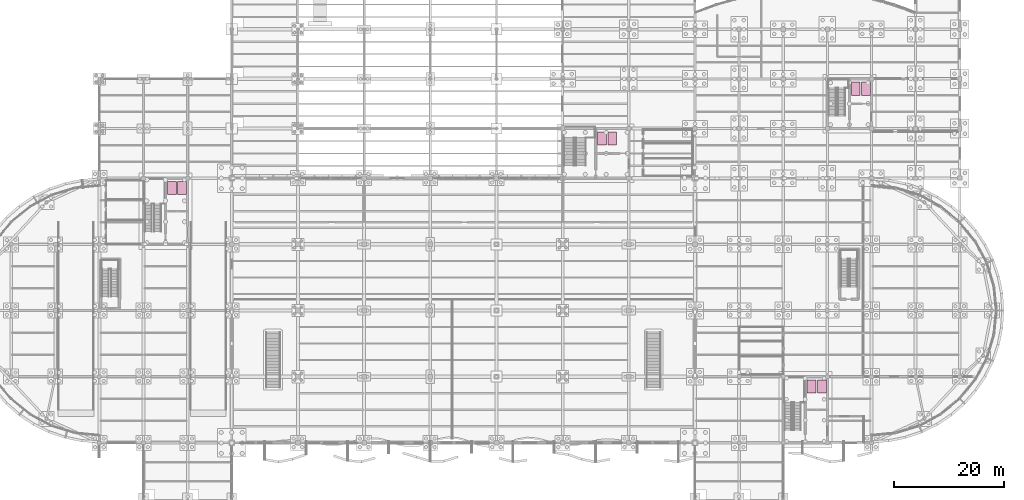
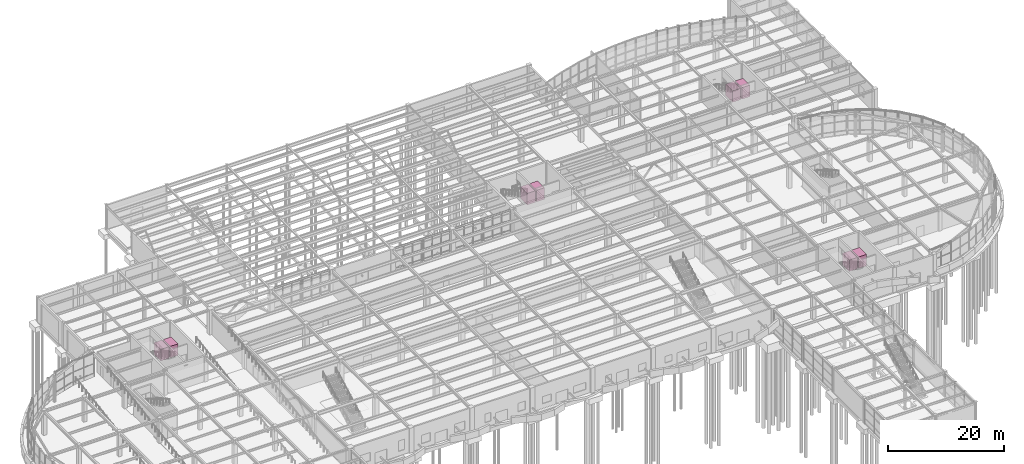
# One storey, part 85 of 85: 8 transport elements.
"""IFC4 building model written with IfcOpenShell, lengths in metres."""

from ifc_helpers import new_model, si_unit, direction, frame, origin, origin_2d, place, context, subcontext, project, spatial, rectangle, extrude, material, type_object, element, save


model = new_model("IFC4")

# Units and contexts
model_context = context("Model", 3, precision=1e-05, world=origin(), true_north=direction((0.0, 1.0)))
body_context = subcontext(model_context, "Body", "Model", "MODEL_VIEW")
ifc_project = project(units=[si_unit("LENGTHUNIT", "METRE"), si_unit("AREAUNIT", "SQUARE_METRE"), si_unit("VOLUMEUNIT", "CUBIC_METRE"), si_unit("PLANEANGLEUNIT", "RADIAN"), si_unit("MASSUNIT", "GRAM", prefix="KILO")], contexts=[model_context])

# Site, building, storey
site_placement = place(None, origin())
site = spatial("IfcSite", under=ifc_project, at=site_placement, CompositionType="ELEMENT")
building_placement = place(site_placement, origin())
building = spatial("IfcBuilding", under=site, at=building_placement, Name="Keelwater Ferry Terminal", CompositionType="ELEMENT")
storey_placement = place(building_placement, origin())
storey = spatial("IfcBuildingStorey", under=building, at=storey_placement, Name="L00", CompositionType="ELEMENT", Elevation=0.0)

# Transport elements
ifc_material_1 = material(Name="Fire-rated stainless steel lift car", Category="steel")
transport_element_type_1 = type_object("IfcTransportElementType", Name="LF-FF Emergency Firefighting Lift", PredefinedType="ELEVATOR", material=ifc_material_1)
for number, where, z_axis, x_axis, name in (
    (1, (115.14990234375, 97.199951171875, 0.0), (0.0, 0.0, 1.0), (1.0, 0.0, 0.0), "Lift L-FF1"),
    (2, (161.14990234375, 106.199951171875, 0.0), (0.0, 0.0, 1.0), (1.0, 0.0, 0.0), "Lift L-FF2"),
):
    element("IfcTransportElement", number, at=place(storey_placement, frame(where, z_axis=z_axis, x_axis=x_axis)), inside=storey, type_object=transport_element_type_1, Name=name, PredefinedType="ELEVATOR", context=body_context, shape_type="SweptSolid", body=[
        extrude(rectangle(XDim=1.60009765625, YDim=2.39990234375, at=origin_2d()), origin(), (0.0, 0.0, 1.0), 2.39990234375),
    ])
ifc_material_2 = material(Name="Stainless steel lift car", Category="steel")
transport_element_type_2 = type_object("IfcTransportElementType", Name="LF-PAX Accessible Passenger Stretcher Lift", PredefinedType="ELEVATOR", material=ifc_material_2)
for number, where, z_axis, x_axis, name in (
    (3, (37.14990234375, 88.199951171875, 0.0), (0.0, 0.0, 1.0), (1.0, 0.0, 0.0), "Lift L-PAX1"),
    (4, (39.0, 88.199951171875, 0.0), (0.0, 0.0, 1.0), (1.0, 0.0, 0.0), "Lift L-PAX2"),
    (5, (117.0, 97.199951171875, 0.0), (0.0, 0.0, 1.0), (1.0, 0.0, 0.0), "Lift L-PAX3"),
    (6, (163.0, 106.199951171875, 0.0), (0.0, 0.0, 1.0), (1.0, 0.0, 0.0), "Lift L-PAX4"),
    (7, (153.14990234375, 52.199951171875, 0.0), (0.0, 0.0, 1.0), (1.0, 0.0, 0.0), "Lift L-PAX5"),
    (8, (155.0, 52.199951171875, 0.0), (0.0, 0.0, 1.0), (1.0, 0.0, 0.0), "Lift L-PAX6"),
):
    element("IfcTransportElement", number, at=place(storey_placement, frame(where, z_axis=z_axis, x_axis=x_axis)), inside=storey, type_object=transport_element_type_2, Name=name, PredefinedType="ELEVATOR", context=body_context, shape_type="SweptSolid", body=[
        extrude(rectangle(XDim=1.60009765625, YDim=2.39990234375, at=origin_2d()), origin(), (0.0, 0.0, 1.0), 2.39990234375),
    ])

save(model, "model.ifc")
